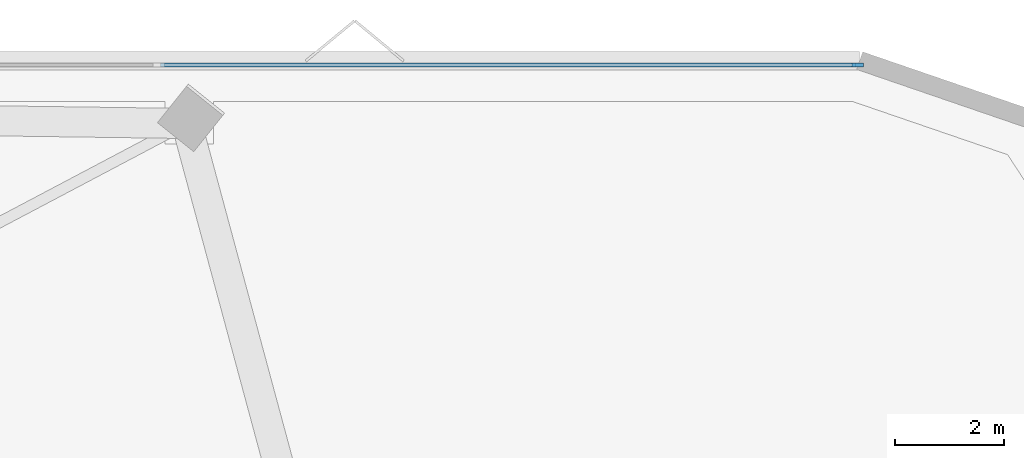
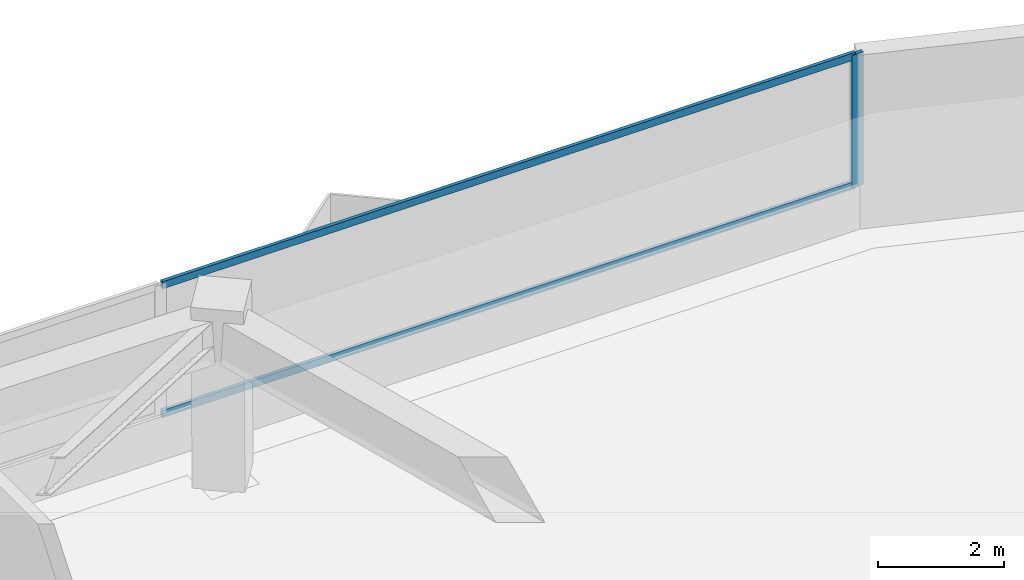
# One storey, part 8 of 15: 3 members, 1 element without a shape of its own.
"""IFC4 building model written with IfcOpenShell, lengths in metres."""

from ifc_helpers import new_model, si_unit, direction, frame, origin, origin_2d, place, context, subcontext, project, spatial, rectangle, extrude, material, layer, layer_set, material_profile, profile_set, type_object, element, aggregate, save


model = new_model("IFC4")

# Units and contexts
model_context = context("Model", 3, precision=1e-05, world=origin(), true_north=direction((0.0, 1.0)))
body_context = subcontext(model_context, "Body", "Model", "MODEL_VIEW")
ifc_project = project(units=[si_unit("LENGTHUNIT", "METRE"), si_unit("AREAUNIT", "SQUARE_METRE"), si_unit("VOLUMEUNIT", "CUBIC_METRE"), si_unit("PLANEANGLEUNIT", "RADIAN"), si_unit("MASSUNIT", "GRAM", prefix="KILO")], contexts=[model_context])

# Site, building, storey
site_placement = place(None, origin())
site = spatial("IfcSite", under=ifc_project, at=site_placement, CompositionType="ELEMENT")
building_placement = place(site_placement, origin())
building = spatial("IfcBuilding", under=site, at=building_placement, Name="Talyreon Biosciences Tower", CompositionType="ELEMENT")
storey_placement = place(building_placement, frame((0.0, 0.0, 100.550048828125)))
storey = spatial("IfcBuildingStorey", under=building, at=storey_placement, Name="L26", CompositionType="ELEMENT", Elevation=100.550048828125)

# Curtain wall, members
ifc_material_1 = material(Name="Thermally broken aluminium and low-E glazing", Category="aluminium")
ifc_layer = layer(ifc_material_1, 0.205078125)
ifc_layer_set = layer_set([ifc_layer], Name="Thermally broken aluminium and low-E glazing")
curtain_wall_type = type_object("IfcCurtainWallType", Name="CurtainWall_SkyGardenLoggia", PredefinedType="NOTDEFINED", material=ifc_layer_set)
curtain_wall_placement = place(storey_placement, origin())
curtain_wall = element("IfcCurtainWall", 1, at=curtain_wall_placement, inside=storey, type_object=curtain_wall_type, Name="L26 Unitised Curtain Wall FCW-L26-03", PredefinedType="NOTDEFINED")
ifc_material_2 = material(Name="Anodised thermally broken aluminium", Category="aluminium")
ifc_material_profile_1 = material_profile(ifc_material_2, rectangle(XDim=0.074951171875, YDim=0.2099609375, at=origin_2d()), Name="ALUM MULLION 75x210")
ifc_profile_set_1 = profile_set([ifc_material_profile_1], Name="Anodised thermally broken aluminium")
member_type_1 = type_object("IfcMemberType", Name="CWMullion_75x210", PredefinedType="MULLION", material=ifc_profile_set_1)
member_1_placement = place(storey_placement, frame((91.616455078125, 89.906494140625, 0.81005859375), z_axis=(0.0, 0.0, 1.0), x_axis=(0.0, 1.0, 0.0)))
member_1 = element("IfcMember", 2, at=member_1_placement, type_object=member_type_1, Name="CW7 mullion 5", PredefinedType="MULLION", context=body_context, shape_type="SweptSolid", body=[
    extrude(rectangle(XDim=0.074951171875, YDim=0.2099609375, at=origin_2d()), origin(), (0.0, 0.0, 1.0), 2.56494140625),
])
ifc_material_profile_2 = material_profile(ifc_material_2, rectangle(XDim=0.06494140625, YDim=0.139892578125, at=origin_2d()), Name="ALUM TRANSOM 65x140")
ifc_profile_set_2 = profile_set([ifc_material_profile_2], Name="Anodised thermally broken aluminium")
member_type_2 = type_object("IfcMemberType", Name="CWTransom_65x140", PredefinedType="USERDEFINED", material=ifc_profile_set_2)
member_2_placement = place(storey_placement, frame((78.864501953125, 89.906494140625, 0.842529296875), z_axis=(1.0, 0.0, 0.0), x_axis=(0.0, 1.0, 0.0)))
member_2 = element("IfcMember", 3, at=member_2_placement, type_object=member_type_2, Name="CW7 transom 4.1", ObjectType="TRANSOM", PredefinedType="USERDEFINED", context=body_context, shape_type="SweptSolid", body=[
    extrude(rectangle(XDim=0.06494140625, YDim=0.139892578125, at=origin_2d()), origin(), (0.0, 0.0, 1.0), 12.71435546875),
])
member_3_placement = place(storey_placement, frame((78.864501953125, 89.906494140625, 3.342529296875), z_axis=(1.0, 0.0, 0.0), x_axis=(0.0, 1.0, 0.0)))
member_3 = element("IfcMember", 4, at=member_3_placement, type_object=member_type_2, Name="CW7 transom 4.2", ObjectType="TRANSOM", PredefinedType="USERDEFINED", context=body_context, shape_type="SweptSolid", body=[
    extrude(rectangle(XDim=0.06494140625, YDim=0.139892578125, at=origin_2d()), origin(), (0.0, 0.0, 1.0), 12.71435546875),
])
aggregate(curtain_wall, [member_1, member_2, member_3])

save(model, "model.ifc")
